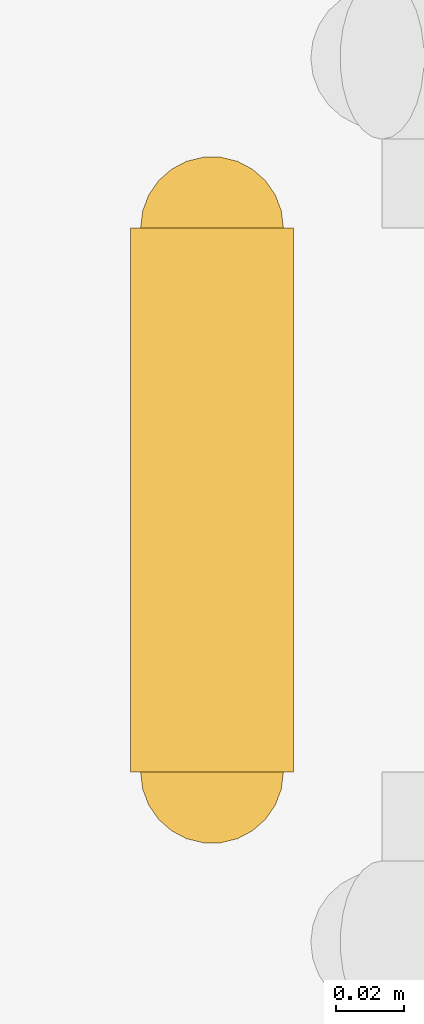
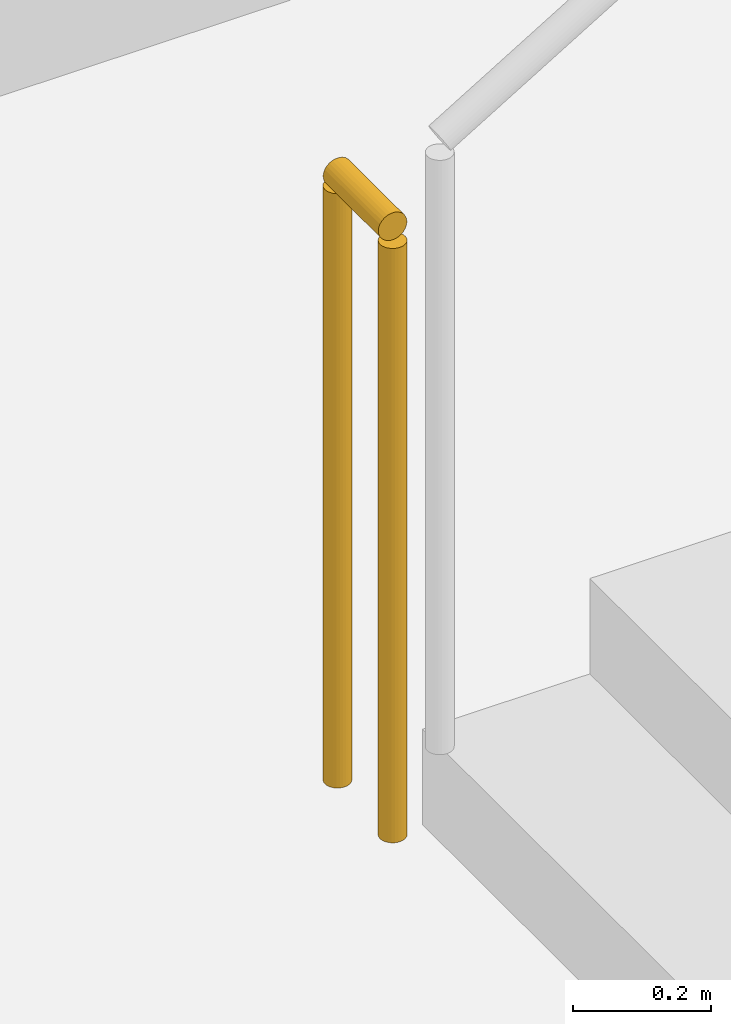
# One storey, part 19 of 24: 1 railing.
"""IFC4 building model written with IfcOpenShell, lengths in metres."""

from ifc_helpers import new_model, si_unit, direction, frame, origin, origin_2d, place, context, subcontext, project, spatial, circle, extrude, material, type_object, element, save


model = new_model("IFC4")

# Units and contexts
model_context = context("Model", 3, precision=1e-05, world=origin(), true_north=direction((0.0, 1.0)))
body_context = subcontext(model_context, "Body", "Model", "MODEL_VIEW")
ifc_project = project(units=[si_unit("LENGTHUNIT", "METRE"), si_unit("AREAUNIT", "SQUARE_METRE"), si_unit("VOLUMEUNIT", "CUBIC_METRE"), si_unit("PLANEANGLEUNIT", "RADIAN"), si_unit("MASSUNIT", "GRAM", prefix="KILO")], contexts=[model_context])

# Site, building, storey
site_placement = place(None, origin())
site = spatial("IfcSite", under=ifc_project, at=site_placement, CompositionType="ELEMENT")
building_placement = place(site_placement, origin())
building = spatial("IfcBuilding", under=site, at=building_placement, Name="Coralgate Yard Interchange", CompositionType="ELEMENT")
storey_placement = place(building_placement, frame((0.0, 0.0, -10.800048828125)))
storey = spatial("IfcBuildingStorey", under=building, at=storey_placement, Name="B2", CompositionType="ELEMENT", Elevation=-10.800048828125)

# Railing
ifc_material = material(Name="Grade 316 marine stainless steel and toughened glass balustrade", Category="steel")
railing_type = type_object("IfcRailingType", Name="RLG-GD1100", PredefinedType="BALUSTRADE", material=ifc_material)
railing_placement = place(storey_placement, frame((136.75, 40.800048828125, 0.0)))
element("IfcRailing", 1, at=railing_placement, inside=storey, type_object=railing_type, Name="B2 ST-13 stair guard 4", PredefinedType="BALUSTRADE", context=body_context, shape_type="SweptSolid", body=[
    extrude(circle(Radius=0.02392578125, at=origin_2d()), frame((0.0, 0.0, 1.076171875), z_axis=(0.0, 1.0, 0.0), x_axis=(-1.0, 0.0, 0.0)), (0.0, 0.0, 1.0), 0.159912109375),
    extrude(circle(Radius=0.02099609375, at=origin_2d()), origin(), (0.0, 0.0, 1.0), 1.051513671875),
    extrude(circle(Radius=0.02099609375, at=origin_2d()), frame((0.0, 0.159912109375, 0.0)), (0.0, 0.0, 1.0), 1.051513671875),
])

save(model, "model.ifc")
